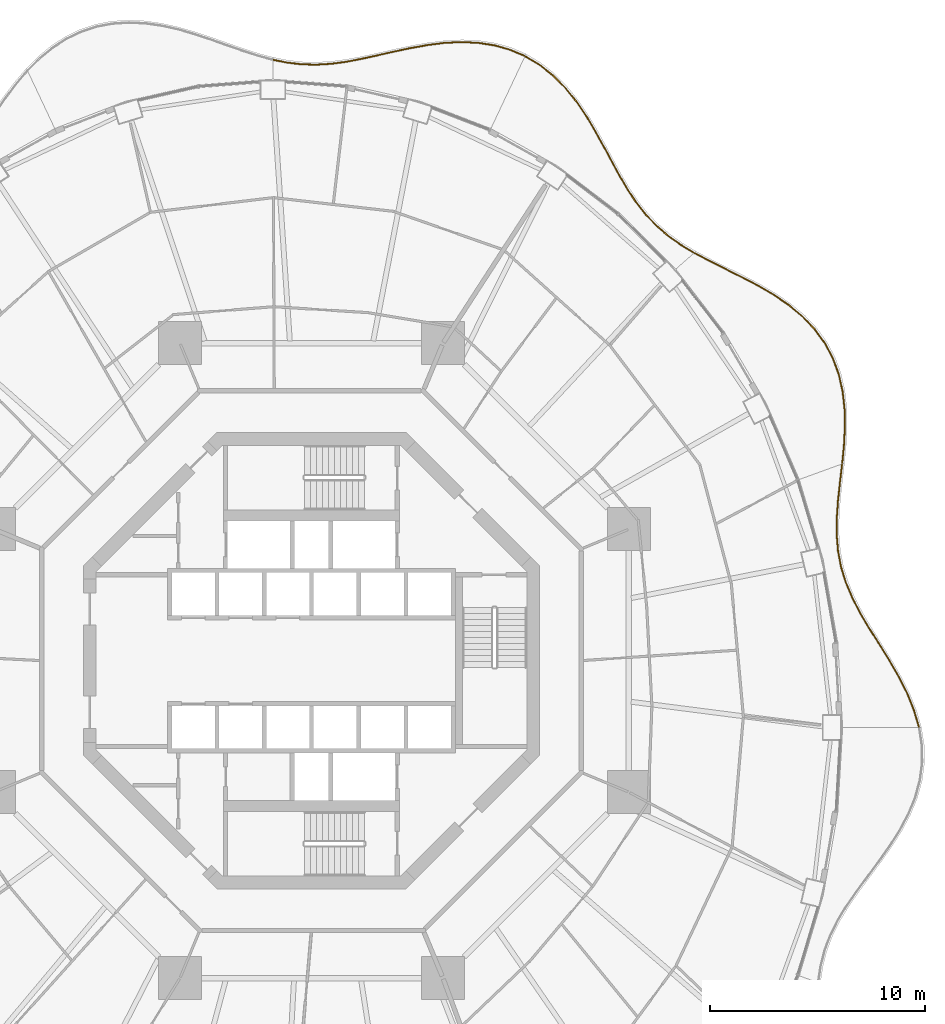
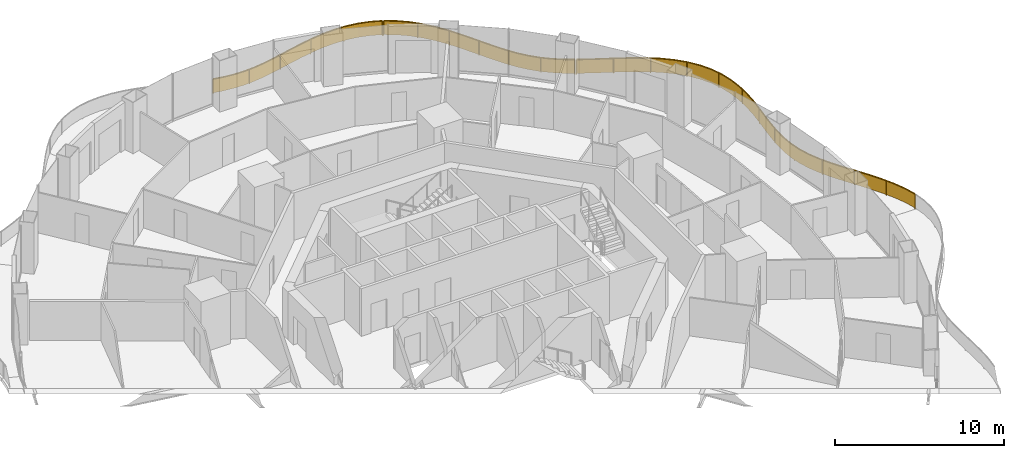
# One storey, part 19 of 19: 4 railings.
"""IFC4 building model written with IfcOpenShell, lengths in metres."""

from ifc_helpers import new_model, si_unit, direction, frame, origin, origin_2d, place, context, subcontext, project, spatial, polyline, rectangle, outline, extrude, material, type_object, element, save


model = new_model("IFC4")

# Units and contexts
model_context = context("Model", 3, precision=1e-05, world=origin(), true_north=direction((0.0, 1.0)))
body_context = subcontext(model_context, "Body", "Model", "MODEL_VIEW")
ifc_project = project(units=[si_unit("LENGTHUNIT", "METRE"), si_unit("AREAUNIT", "SQUARE_METRE"), si_unit("VOLUMEUNIT", "CUBIC_METRE"), si_unit("PLANEANGLEUNIT", "RADIAN"), si_unit("MASSUNIT", "GRAM", prefix="KILO")], contexts=[model_context])

# Site, building, storey
site_placement = place(None, origin())
site = spatial("IfcSite", under=ifc_project, at=site_placement, CompositionType="ELEMENT")
building_placement = place(site_placement, origin())
building = spatial("IfcBuilding", under=site, at=building_placement, Name="Nagisa Residences", CompositionType="ELEMENT")
storey_placement = place(building_placement, frame((0.0, 0.0, 127.0)))
storey = spatial("IfcBuildingStorey", under=building, at=storey_placement, Name="L31", CompositionType="ELEMENT", Elevation=127.0)

# Railings
ifc_material = material(Name="Stainless steel 316", Category="steel")
railing_type = type_object("IfcRailingType", Name="BALCONY GUARD 1100", PredefinedType="BALUSTRADE", material=ifc_material)
railing_1_placement = place(storey_placement, frame((28.2783203125, -3.08056640625, 0.0)))
element("IfcRailing", 1, at=railing_1_placement, inside=storey, type_object=railing_type, Name="guard:L31:bal00-0", PredefinedType="BALUSTRADE", context=body_context, shape_type="SweptSolid", body=[
    extrude(outline(polyline([(-0.24609375, 0.758544921875), (-0.02392578125, -0.007080078125), (0.02392578125, 0.007080078125), (-0.19873046875, 0.775146484375), (-0.524169921875, 1.574951171875), (-0.919677734375, 2.35693359375), (-1.36083984375, 3.1201171875), (-1.82177734375, 3.864013671875), (-2.2744140625, 4.578125), (-2.697265625, 5.294921875), (-3.06787109375, 6.00634765625), (-3.370361328125, 6.719482421875), (-3.59423828125, 7.44287109375), (-3.733154296875, 8.169189453125), (-3.797119140625, 8.93212890625), (-3.792724609375, 9.721923828125), (-3.7353515625, 10.53955078125), (-3.64501953125, 11.38330078125), (-3.548828125, 12.203369140625), (-3.5986328125, 12.209228515625), (-3.69482421875, 11.388671875), (-3.78515625, 10.5439453125), (-3.842529296875, 9.723876953125), (-3.847412109375, 8.93017578125), (-3.782958984375, 8.162353515625), (-3.64306640625, 7.4306640625), (-3.417236328125, 6.702392578125), (-3.11328125, 5.98486328125), (-2.7412109375, 5.2705078125), (-2.31689453125, 4.55224609375), (-1.8642578125, 3.837646484375), (-1.40380859375, 3.09423828125), (-0.963623046875, 2.3330078125), (-0.569580078125, 1.553955078125), (-0.24609375, 0.758544921875)])), frame((0.0, 0.0, 1.050048828125)), (0.0, 0.0, 1.0), 0.050048828125),
    extrude(outline(polyline([(-0.22900390625, 0.7646484375), (-0.0068359375, -0.001953125), (0.0068359375, 0.001953125), (-0.2158203125, 0.76904296875), (-0.54052734375, 1.5673828125), (-0.935546875, 2.348388671875), (-1.376220703125, 3.11083984375), (-1.837158203125, 3.8544921875), (-2.289794921875, 4.56884765625), (-2.713134765625, 5.2861328125), (-3.084228515625, 5.99853515625), (-3.38720703125, 6.71337890625), (-3.61181640625, 7.4384765625), (-3.751220703125, 8.166748046875), (-3.815185546875, 8.931396484375), (-3.810546875, 9.72265625), (-3.753173828125, 10.541015625), (-3.6630859375, 11.38525390625), (-3.56689453125, 12.20556640625), (-3.58056640625, 12.20703125), (-3.6767578125, 11.38671875), (-3.767333984375, 10.54248046875), (-3.82470703125, 9.72314453125), (-3.829345703125, 8.930908203125), (-3.764892578125, 8.164794921875), (-3.62548828125, 7.43505859375), (-3.400390625, 6.70849609375), (-3.096923828125, 5.99267578125), (-2.725341796875, 5.279296875), (-2.301513671875, 4.5615234375), (-1.848876953125, 3.84716796875), (-1.388427734375, 3.103515625), (-0.94775390625, 2.341552734375), (-0.55322265625, 1.5615234375), (-0.22900390625, 0.7646484375)])), frame((0.0, 0.0, 0.06005859375)), (0.0, 0.0, 1.0), 0.989990234375),
    extrude(rectangle(XDim=0.0400390625, YDim=0.0400390625, at=origin_2d()), origin(), (0.0, 0.0, 1.0), 1.050048828125),
    extrude(rectangle(XDim=0.0400390625, YDim=0.0400390625, at=origin_2d()), frame((-0.78369140625, 2.032958984375, 0.0)), (0.0, 0.0, 1.0), 1.050048828125),
    extrude(rectangle(XDim=0.0400390625, YDim=0.0400390625, at=origin_2d()), frame((-1.885498046875, 3.91796875, 0.0)), (0.0, 0.0, 1.0), 1.050048828125),
    extrude(rectangle(XDim=0.0400390625, YDim=0.0400390625, at=origin_2d()), frame((-2.989501953125, 5.801513671875, 0.0)), (0.0, 0.0, 1.0), 1.050048828125),
    extrude(rectangle(XDim=0.0400390625, YDim=0.0400390625, at=origin_2d()), frame((-3.69921875, 7.858154296875, 0.0)), (0.0, 0.0, 1.0), 1.050048828125),
    extrude(rectangle(XDim=0.0400390625, YDim=0.0400390625, at=origin_2d()), frame((-3.7958984375, 10.033447265625, 0.0)), (0.0, 0.0, 1.0), 1.050048828125),
    extrude(rectangle(XDim=0.0400390625, YDim=0.0400390625, at=origin_2d()), frame((-3.57373046875, 12.206298828125, 0.0)), (0.0, 0.0, 1.0), 1.050048828125),
])
railing_2_placement = place(storey_placement, frame((24.71435546875, 9.20166015625, 0.0)))
element("IfcRailing", 2, at=railing_2_placement, inside=storey, type_object=railing_type, Name="guard:L31:bal01-0", PredefinedType="BALUSTRADE", context=body_context, shape_type="SweptSolid", body=[
    extrude(outline(polyline([(0.054443359375, 0.8076171875), (-0.02490234375, 0.00244140625), (0.02490234375, -0.00244140625), (0.104248046875, 0.8037109375), (0.148193359375, 1.658935546875), (0.13330078125, 2.507080078125), (0.04248046875, 3.337158203125), (-0.137939453125, 4.13720703125), (-0.41015625, 4.884033203125), (-0.7900390625, 5.594482421875), (-1.267333984375, 6.248779296875), (-1.833984375, 6.84423828125), (-2.476806640625, 7.381103515625), (-3.170654296875, 7.85107421875), (-3.91259765625, 8.286865234375), (-4.674072265625, 8.68701171875), (-5.435302734375, 9.06494140625), (-6.177734375, 9.435302734375), (-6.84814453125, 9.7919921875), (-6.87158203125, 9.748046875), (-6.20068359375, 9.390869140625), (-5.457763671875, 9.02001953125), (-4.697021484375, 8.642578125), (-3.93701171875, 8.242919921875), (-3.197509765625, 7.80859375), (-2.507080078125, 7.341064453125), (-1.8681640625, 6.8076171875), (-1.305908203125, 6.216552734375), (-0.83251953125, 5.567626953125), (-0.4560546875, 4.863525390625), (-0.186279296875, 4.123046875), (-0.0068359375, 3.328857421875), (0.08349609375, 2.504150390625), (0.097900390625, 1.659912109375), (0.054443359375, 0.8076171875)])), frame((0.0, 0.0, 1.050048828125)), (0.0, 0.0, 1.0), 0.050048828125),
    extrude(outline(polyline([(0.072265625, 0.80615234375), (-0.007080078125, 0.000732421875), (0.007080078125, -0.000732421875), (0.08642578125, 0.80517578125), (0.130126953125, 1.659423828125), (0.115478515625, 2.506103515625), (0.024658203125, 3.334228515625), (-0.1552734375, 4.132080078125), (-0.4267578125, 4.876708984375), (-0.805419921875, 5.584716796875), (-1.28125, 6.237060546875), (-1.84619140625, 6.8310546875), (-2.48779296875, 7.36669921875), (-3.180419921875, 7.835693359375), (-3.92138671875, 8.27099609375), (-4.682373046875, 8.671142578125), (-5.443359375, 9.048828125), (-6.18603515625, 9.419189453125), (-6.856689453125, 9.776123046875), (-6.863037109375, 9.763916015625), (-6.1923828125, 9.406982421875), (-5.44970703125, 9.0361328125), (-4.688720703125, 8.658447265625), (-3.92822265625, 8.2587890625), (-3.187744140625, 7.823974609375), (-2.49609375, 7.35546875), (-1.85595703125, 6.82080078125), (-1.2919921875, 6.228271484375), (-0.817138671875, 5.577392578125), (-0.439453125, 4.870849609375), (-0.1689453125, 4.128173828125), (0.010986328125, 3.331787109375), (0.101318359375, 2.505126953125), (0.115966796875, 1.659423828125), (0.072265625, 0.80615234375)])), frame((0.0, 0.0, 0.06005859375)), (0.0, 0.0, 1.0), 0.989990234375),
    extrude(rectangle(XDim=0.0400390625, YDim=0.0400390625, at=origin_2d()), origin(), (0.0, 0.0, 1.0), 1.050048828125),
    extrude(rectangle(XDim=0.0400390625, YDim=0.0400390625, at=origin_2d()), frame((0.11376953125, 2.1962890625, 0.0)), (0.0, 0.0, 1.0), 1.050048828125),
    extrude(rectangle(XDim=0.0400390625, YDim=0.0400390625, at=origin_2d()), frame((-0.2451171875, 4.35791015625, 0.0)), (0.0, 0.0, 1.0), 1.050048828125),
    extrude(rectangle(XDim=0.0400390625, YDim=0.0400390625, at=origin_2d()), frame((-1.316650390625, 6.26416015625, 0.0)), (0.0, 0.0, 1.0), 1.050048828125),
    extrude(rectangle(XDim=0.0400390625, YDim=0.0400390625, at=origin_2d()), frame((-2.9814453125, 7.692626953125, 0.0)), (0.0, 0.0, 1.0), 1.050048828125),
    extrude(rectangle(XDim=0.0400390625, YDim=0.0400390625, at=origin_2d()), frame((-4.898681640625, 8.7705078125, 0.0)), (0.0, 0.0, 1.0), 1.050048828125),
    extrude(rectangle(XDim=0.0400390625, YDim=0.0400390625, at=origin_2d()), frame((-6.85986328125, 9.77001953125, 0.0)), (0.0, 0.0, 1.0), 1.050048828125),
])
railing_3_placement = place(storey_placement, frame((17.789794921875, 19.005859375, 0.0)))
element("IfcRailing", 3, at=railing_3_placement, inside=storey, type_object=railing_type, Name="guard:L31:bal02-0", PredefinedType="BALUSTRADE", context=body_context, shape_type="SweptSolid", body=[
    extrude(outline(polyline([(-0.609619140625, 0.338134765625), (-0.012939453125, -0.021484375), (0.012939453125, 0.021484375), (-0.582275390625, 0.380126953125), (-1.165771484375, 0.794921875), (-1.698974609375, 1.25146484375), (-2.183837890625, 1.756591796875), (-2.6259765625, 2.312255859375), (-3.022216796875, 2.908447265625), (-3.408447265625, 3.56005859375), (-3.784912109375, 4.247802734375), (-4.16552734375, 4.958984375), (-4.56396484375, 5.67822265625), (-4.979248046875, 6.379150390625), (-5.4482421875, 7.061279296875), (-5.96630859375, 7.697265625), (-6.53759765625, 8.27001953125), (-7.163818359375, 8.7646484375), (-7.80029296875, 9.1455078125), (-7.826171875, 9.1025390625), (-7.192138671875, 8.72314453125), (-6.57080078125, 8.232421875), (-6.00341796875, 7.66357421875), (-5.48828125, 7.031005859375), (-5.021240234375, 6.352294921875), (-4.607421875, 5.6533203125), (-4.20947265625, 4.93505859375), (-3.828857421875, 4.223876953125), (-3.451904296875, 3.53515625), (-3.064697265625, 2.881591796875), (-2.66650390625, 2.282958984375), (-2.221435546875, 1.723388671875), (-1.733154296875, 1.21484375), (-1.196533203125, 0.75537109375), (-0.609619140625, 0.338134765625)])), frame((0.0, 0.0, 1.050048828125)), (0.0, 0.0, 1.0), 0.050048828125),
    extrude(outline(polyline([(-0.599853515625, 0.353271484375), (-0.003662109375, -0.006103515625), (0.003662109375, 0.006103515625), (-0.592041015625, 0.364990234375), (-1.1767578125, 0.78076171875), (-1.711181640625, 1.23828125), (-2.197265625, 1.74462890625), (-2.640625, 2.3017578125), (-3.03759765625, 2.898681640625), (-3.424072265625, 3.551025390625), (-3.80078125, 4.2392578125), (-4.181396484375, 4.950439453125), (-4.57958984375, 5.669189453125), (-4.994384765625, 6.369384765625), (-5.462646484375, 7.05029296875), (-5.979736328125, 7.68505859375), (-6.549560546875, 8.25634765625), (-7.174072265625, 8.749755859375), (-7.8095703125, 9.130126953125), (-7.81689453125, 9.117919921875), (-7.181884765625, 8.738037109375), (-6.558837890625, 8.24609375), (-5.989990234375, 7.67578125), (-5.473876953125, 7.0419921875), (-5.006103515625, 6.362060546875), (-4.591796875, 5.662353515625), (-4.193603515625, 4.943603515625), (-3.81298828125, 4.232421875), (-3.436279296875, 3.544189453125), (-3.04931640625, 2.891357421875), (-2.65185546875, 2.29345703125), (-2.2080078125, 1.7353515625), (-1.720947265625, 1.22802734375), (-1.185546875, 0.76953125), (-0.599853515625, 0.353271484375)])), frame((0.0, 0.0, 0.06005859375)), (0.0, 0.0, 1.0), 0.989990234375),
    extrude(rectangle(XDim=0.0400390625, YDim=0.0400390625, at=origin_2d()), origin(), (0.0, 0.0, 1.0), 1.050048828125),
    extrude(rectangle(XDim=0.0400390625, YDim=0.0400390625, at=origin_2d()), frame((-1.654296875, 1.180419921875, 0.0)), (0.0, 0.0, 1.0), 1.050048828125),
    extrude(rectangle(XDim=0.0400390625, YDim=0.0400390625, at=origin_2d()), frame((-2.945556640625, 2.74755859375, 0.0)), (0.0, 0.0, 1.0), 1.050048828125),
    extrude(rectangle(XDim=0.0400390625, YDim=0.0400390625, at=origin_2d()), frame((-3.956298828125, 4.51513671875, 0.0)), (0.0, 0.0, 1.0), 1.050048828125),
    extrude(rectangle(XDim=0.0400390625, YDim=0.0400390625, at=origin_2d()), frame((-4.955322265625, 6.289794921875, 0.0)), (0.0, 0.0, 1.0), 1.050048828125),
    extrude(rectangle(XDim=0.0400390625, YDim=0.0400390625, at=origin_2d()), frame((-6.199951171875, 7.89599609375, 0.0)), (0.0, 0.0, 1.0), 1.050048828125),
    extrude(rectangle(XDim=0.0400390625, YDim=0.0400390625, at=origin_2d()), frame((-7.813232421875, 9.1240234375, 0.0)), (0.0, 0.0, 1.0), 1.050048828125),
])
railing_4_placement = place(storey_placement, frame((9.90771484375, 28.1650390625, 0.0)))
element("IfcRailing", 4, at=railing_4_placement, inside=storey, type_object=railing_type, Name="guard:L31:bal03-0", PredefinedType="BALUSTRADE", context=body_context, shape_type="SweptSolid", body=[
    extrude(outline(polyline([(-0.661376953125, 0.256103515625), (-0.009765625, -0.02294921875), (0.009765625, 0.02294921875), (-0.644775390625, 0.303466796875), (-1.3818359375, 0.511474609375), (-2.148681640625, 0.6298828125), (-2.93505859375, 0.6650390625), (-3.732177734375, 0.626953125), (-4.513916015625, 0.5244140625), (-5.30517578125, 0.384033203125), (-6.08349609375, 0.218017578125), (-6.84423828125, 0.045166015625), (-7.5849609375, -0.116455078125), (-8.28759765625, -0.25341796875), (-8.989501953125, -0.34619140625), (-9.67724609375, -0.38720703125), (-10.355712890625, -0.3701171875), (-11.031494140625, -0.292724609375), (-11.668212890625, -0.165283203125), (-11.677978515625, -0.214599609375), (-11.039306640625, -0.342041015625), (-10.359130859375, -0.419921875), (-9.67626953125, -0.4375), (-8.984619140625, -0.39599609375), (-8.279296875, -0.302734375), (-7.57470703125, -0.165283203125), (-6.83349609375, -0.003662109375), (-6.07275390625, 0.169189453125), (-5.29541015625, 0.334716796875), (-4.506103515625, 0.47509765625), (-3.727783203125, 0.5771484375), (-2.93505859375, 0.61474609375), (-2.153564453125, 0.580078125), (-1.392578125, 0.462646484375), (-0.661376953125, 0.256103515625)])), frame((0.0, 0.0, 1.050048828125)), (0.0, 0.0, 1.0), 0.050048828125),
    extrude(outline(polyline([(-0.655517578125, 0.273193359375), (-0.002685546875, -0.00634765625), (0.002685546875, 0.00634765625), (-0.650634765625, 0.286376953125), (-1.3857421875, 0.493896484375), (-2.150390625, 0.612060546875), (-2.93505859375, 0.64697265625), (-3.730712890625, 0.609130859375), (-4.510986328125, 0.506591796875), (-5.301513671875, 0.3662109375), (-6.07958984375, 0.200439453125), (-6.84033203125, 0.027587890625), (-7.581298828125, -0.134033203125), (-8.28466796875, -0.271240234375), (-8.98779296875, -0.364013671875), (-9.6767578125, -0.4052734375), (-10.35693359375, -0.387939453125), (-11.034423828125, -0.310546875), (-11.671630859375, -0.18310546875), (-11.674560546875, -0.19677734375), (-11.036376953125, -0.32421875), (-10.35791015625, -0.402099609375), (-9.6767578125, -0.41943359375), (-8.986328125, -0.378173828125), (-8.2822265625, -0.284912109375), (-7.578369140625, -0.147705078125), (-6.83740234375, 0.013916015625), (-6.07666015625, 0.186767578125), (-5.299072265625, 0.3525390625), (-4.509033203125, 0.492919921875), (-3.729248046875, 0.594970703125), (-2.93505859375, 0.6328125), (-2.15185546875, 0.597900390625), (-1.388671875, 0.480224609375), (-0.655517578125, 0.273193359375)])), frame((0.0, 0.0, 0.06005859375)), (0.0, 0.0, 1.0), 0.989990234375),
    extrude(rectangle(XDim=0.0400390625, YDim=0.0400390625, at=origin_2d()), origin(), (0.0, 0.0, 1.0), 1.050048828125),
    extrude(rectangle(XDim=0.0400390625, YDim=0.0400390625, at=origin_2d()), frame((-2.281005859375, 0.61083984375, 0.0)), (0.0, 0.0, 1.0), 1.050048828125),
    extrude(rectangle(XDim=0.0400390625, YDim=0.0400390625, at=origin_2d()), frame((-4.646728515625, 0.475341796875, 0.0)), (0.0, 0.0, 1.0), 1.050048828125),
    extrude(rectangle(XDim=0.0400390625, YDim=0.0400390625, at=origin_2d()), frame((-6.972900390625, -0.008544921875, 0.0)), (0.0, 0.0, 1.0), 1.050048828125),
    extrude(rectangle(XDim=0.0400390625, YDim=0.0400390625, at=origin_2d()), frame((-9.314697265625, -0.390625, 0.0)), (0.0, 0.0, 1.0), 1.050048828125),
    extrude(rectangle(XDim=0.0400390625, YDim=0.0400390625, at=origin_2d()), frame((-11.673095703125, -0.18994140625, 0.0)), (0.0, 0.0, 1.0), 1.050048828125),
])

save(model, "model.ifc")
